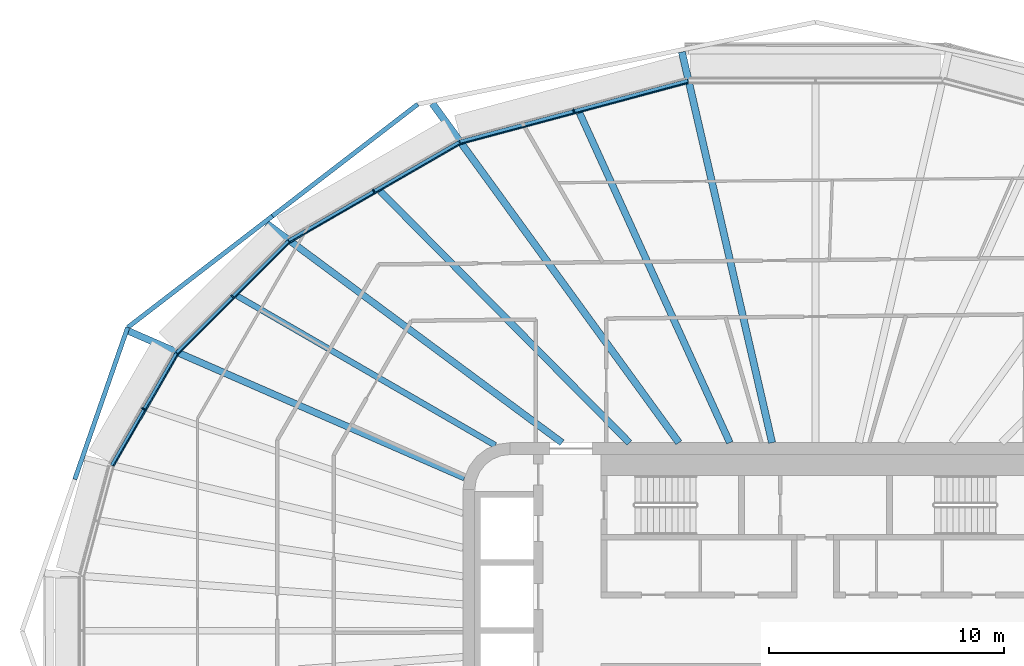
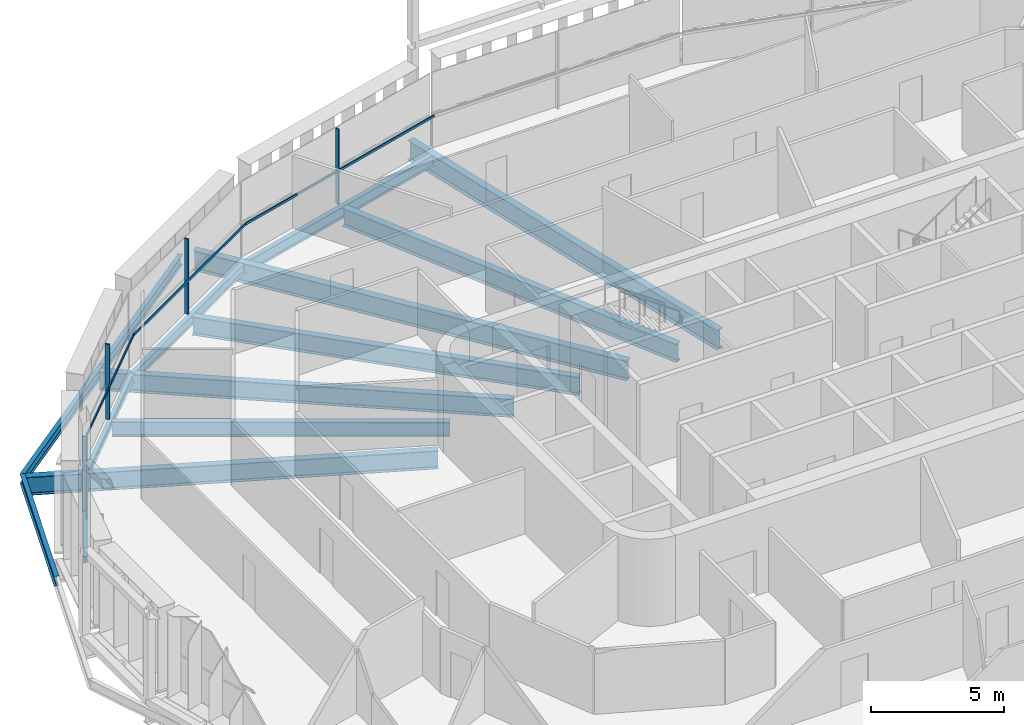
# One storey, part 6 of 24: 14 beams, 8 members, 4 elements without a shape of their own.
"""IFC4 building model written with IfcOpenShell, lengths in metres."""

from ifc_helpers import new_model, si_unit, direction, frame, origin, origin_2d, place, context, subcontext, project, spatial, rectangle, i_section, extrude, material, layer, layer_set, material_profile, profile_set, type_object, element, aggregate, save


model = new_model("IFC4")

# Units and contexts
model_context = context("Model", 3, precision=1e-05, world=origin(), true_north=direction((0.0, 1.0)))
body_context = subcontext(model_context, "Body", "Model", "MODEL_VIEW")
ifc_project = project(units=[si_unit("LENGTHUNIT", "METRE"), si_unit("AREAUNIT", "SQUARE_METRE"), si_unit("VOLUMEUNIT", "CUBIC_METRE"), si_unit("PLANEANGLEUNIT", "RADIAN"), si_unit("MASSUNIT", "GRAM", prefix="KILO")], contexts=[model_context])

# Site, building, storey
site_placement = place(None, origin())
site = spatial("IfcSite", under=ifc_project, at=site_placement, CompositionType="ELEMENT")
building_placement = place(site_placement, origin())
building = spatial("IfcBuilding", under=site, at=building_placement, Name="Sahrelin Media Tower", CompositionType="ELEMENT")
storey_placement = place(building_placement, frame((0.0, 0.0, 153.60009765625)))
storey = spatial("IfcBuildingStorey", under=building, at=storey_placement, Name="L31", CompositionType="ELEMENT", Elevation=153.60009765625)

# Beams
ifc_material_1 = material(Name="Steel S355", Category="steel")
ifc_material_profile_1 = material_profile(ifc_material_1, i_section(OverallWidth=0.1650390625, OverallDepth=0.303466796875, WebThickness=0.006103515625, FlangeThickness=0.01025390625, FilletRadius=0.0087890625, at=origin_2d()), Name="UB 305x165x40")
ifc_profile_set_1 = profile_set([ifc_material_profile_1], Name="Steel S355")
beam_type_1 = type_object("IfcBeamType", Name="Edge beam EB2", PredefinedType="BEAM", material=ifc_profile_set_1)
beam_1_placement = place(storey_placement, frame((-29.936279296875, 7.03125, -0.3017578125), z_axis=(0.499996181239, 0.866027608536, 0.0), x_axis=(-0.866027608536, 0.499996181239, 0.0)))
element("IfcBeam", 1, at=beam_1_placement, inside=storey, type_object=beam_type_1, Name="Edge beam L31-15", PredefinedType="BEAM", context=body_context, shape_type="SweptSolid", body=[
    extrude(i_section(OverallWidth=0.1650390625, OverallDepth=0.303466796875, WebThickness=0.006103515625, FlangeThickness=0.01025390625, FilletRadius=0.0087890625, at=origin_2d()), origin(), (0.0, 0.0, 1.0), 5.50732421875),
])
ifc_material_profile_2 = material_profile(ifc_material_1, i_section(OverallWidth=0.17138671875, OverallDepth=0.35498046875, WebThickness=0.00732421875, FlangeThickness=0.011474609375, FilletRadius=0.01025390625, at=origin_2d()), Name="UB 356x171x51")
ifc_profile_set_2 = profile_set([ifc_material_profile_2], Name="Steel S355")
beam_type_2 = type_object("IfcBeamType", Name="Edge beam EB3", PredefinedType="BEAM", material=ifc_profile_set_2)
beam_2_placement = place(storey_placement, frame((-27.1650390625, 11.823486328125, -0.32763671875), z_axis=(0.707088574851, 0.707124987054, 0.0), x_axis=(-0.707124987054, 0.707088574851, 0.0)))
element("IfcBeam", 2, at=beam_2_placement, inside=storey, type_object=beam_type_2, Name="Edge beam L31-16", PredefinedType="BEAM", context=body_context, shape_type="SweptSolid", body=[
    extrude(i_section(OverallWidth=0.17138671875, OverallDepth=0.35498046875, WebThickness=0.00732421875, FlangeThickness=0.011474609375, FilletRadius=0.01025390625, at=origin_2d()), origin(), (0.0, 0.0, 1.0), 6.704833984375),
])
ifc_material_profile_3 = material_profile(ifc_material_1, i_section(OverallWidth=0.1904296875, OverallDepth=0.45703125, WebThickness=0.009033203125, FlangeThickness=0.014404296875, FilletRadius=0.01025390625, at=origin_2d()), Name="UB 457x191x74")
ifc_profile_set_3 = profile_set([ifc_material_profile_3], Name="Steel S355")
beam_type_3 = type_object("IfcBeamType", Name="Edge beam EB5", PredefinedType="BEAM", material=ifc_profile_set_3)
beam_3_placement = place(storey_placement, frame((-22.401123046875, 16.58203125, -0.378662109375), z_axis=(0.866019985848, 0.500009384024, 0.0), x_axis=(-0.500009384024, 0.866019985848, 0.0)))
element("IfcBeam", 3, at=beam_3_placement, inside=storey, type_object=beam_type_3, Name="Edge beam L31-17", PredefinedType="BEAM", context=body_context, shape_type="SweptSolid", body=[
    extrude(i_section(OverallWidth=0.1904296875, OverallDepth=0.45703125, WebThickness=0.009033203125, FlangeThickness=0.014404296875, FilletRadius=0.01025390625, at=origin_2d()), origin(), (0.0, 0.0, 1.0), 8.371826171875),
])
ifc_material_profile_4 = material_profile(ifc_material_1, i_section(OverallWidth=0.208740234375, OverallDepth=0.5283203125, WebThickness=0.009521484375, FlangeThickness=0.01318359375, FilletRadius=0.0126953125, at=origin_2d()), Name="UB 533x210x82")
ifc_profile_set_4 = profile_set([ifc_material_profile_4], Name="Steel S355")
beam_type_4 = type_object("IfcBeamType", Name="Edge beam EB6", PredefinedType="BEAM", material=ifc_profile_set_4)
beam_4_placement = place(storey_placement, frame((-15.124267578125, 20.779052734375, -0.414306640625), z_axis=(0.965924398273, 0.258824374473, 0.0), x_axis=(-0.258824374473, 0.965924398273, 0.0)))
element("IfcBeam", 4, at=beam_4_placement, inside=storey, type_object=beam_type_4, Name="Edge beam L31-18", PredefinedType="BEAM", context=body_context, shape_type="SweptSolid", body=[
    extrude(i_section(OverallWidth=0.208740234375, OverallDepth=0.5283203125, WebThickness=0.009521484375, FlangeThickness=0.01318359375, FilletRadius=0.0126953125, at=origin_2d()), origin(), (0.0, 0.0, 1.0), 10.0439453125),
])

# Curtain wall, member
ifc_material_2 = material(Name="Champagne anodised aluminium 6063-T6", Category="aluminium")
ifc_layer = layer(ifc_material_2, 0.14990234375)
ifc_layer_set = layer_set([ifc_layer], Name="Tower ribbon curtain wall")
curtain_wall_type = type_object("IfcCurtainWallType", Name="Tower ribbon curtain wall", PredefinedType="NOTDEFINED", material=ifc_layer_set)
curtain_wall_1_placement = place(storey_placement, frame((-10.312255859375, 22.2236328125, 0.0), z_axis=(0.0, 0.0, 1.0), x_axis=(1.0, 0.0, 0.0)))
curtain_wall_1 = element("IfcCurtainWall", 5, at=curtain_wall_1_placement, inside=storey, type_object=curtain_wall_type, Name="L31:CW:L31-07", PredefinedType="NOTDEFINED")
ifc_material_profile_5 = material_profile(ifc_material_2, rectangle(XDim=0.06005859375, YDim=0.175048828125, at=origin_2d()), Name="Mullion 60x175")
ifc_profile_set_5 = profile_set([ifc_material_profile_5], Name="Champagne anodised aluminium 6063-T6")
member_type_1 = type_object("IfcMemberType", Name="Mullion 60x175 CW1B", PredefinedType="MULLION", material=ifc_profile_set_5)
member_1_placement = place(storey_placement, frame((-10.284423828125, 22.119873046875, 0.0), z_axis=(0.0, 0.0, 1.0), x_axis=(-0.965926729732, -0.258815673384, 0.0)))
member_1 = element("IfcMember", 6, at=member_1_placement, type_object=member_type_1, Name="L31:CWM:L31-07", PredefinedType="MULLION", context=body_context, shape_type="SweptSolid", body=[
    extrude(rectangle(XDim=0.06005859375, YDim=0.175048828125, at=origin_2d()), origin(), (0.0, 0.0, 1.0), 3.448486328125),
])

curtain_wall_2_placement = place(storey_placement, frame((-18.85107421875, 18.804931640625, 0.0), z_axis=(0.0, 0.0, 1.0), x_axis=(1.0, 0.0, 0.0)))
curtain_wall_2 = element("IfcCurtainWall", 7, at=curtain_wall_2_placement, inside=storey, type_object=curtain_wall_type, Name="L31:CW:L31-08", PredefinedType="NOTDEFINED")
member_2_placement = place(storey_placement, frame((-18.797119140625, 18.7119140625, 0.0), z_axis=(0.0, 0.0, 1.0), x_axis=(-0.866025403784, -0.5, 0.0)))
member_2 = element("IfcMember", 8, at=member_2_placement, type_object=member_type_1, Name="L31:CWM:L31-08", PredefinedType="MULLION", context=body_context, shape_type="SweptSolid", body=[
    extrude(rectangle(XDim=0.06005859375, YDim=0.175048828125, at=origin_2d()), origin(), (0.0, 0.0, 1.0), 3.448486328125),
])

curtain_wall_3_placement = place(storey_placement, frame((-24.900390625, 14.300048828125, 0.0), z_axis=(0.0, 0.0, 1.0), x_axis=(1.0, 0.0, 0.0)))
curtain_wall_3 = element("IfcCurtainWall", 9, at=curtain_wall_3_placement, inside=storey, type_object=curtain_wall_type, Name="L31:CW:L31-09", PredefinedType="NOTDEFINED")
member_3_placement = place(storey_placement, frame((-24.824462890625, 14.22412109375, 0.0), z_axis=(0.0, 0.0, 1.0), x_axis=(-0.707106781187, -0.707106781187, 0.0)))
member_3 = element("IfcMember", 10, at=member_3_placement, type_object=member_type_1, Name="L31:CWM:L31-09", PredefinedType="MULLION", context=body_context, shape_type="SweptSolid", body=[
    extrude(rectangle(XDim=0.06005859375, YDim=0.175048828125, at=origin_2d()), origin(), (0.0, 0.0, 1.0), 3.448486328125),
])

curtain_wall_4_placement = place(storey_placement, frame((-28.689208984375, 9.490966796875, 0.0), z_axis=(0.0, 0.0, 1.0), x_axis=(1.0, 0.0, 0.0)))
curtain_wall_4 = element("IfcCurtainWall", 11, at=curtain_wall_4_placement, inside=storey, type_object=curtain_wall_type, Name="L31:CW:L31-10", PredefinedType="NOTDEFINED")
member_4_placement = place(storey_placement, frame((-28.59619140625, 9.437255859375, 0.0), z_axis=(0.0, 0.0, 1.0), x_axis=(-0.4999984885, -0.866026276448, 0.0)))
member_4 = element("IfcMember", 12, at=member_4_placement, type_object=member_type_1, Name="L31:CWM:L31-10", PredefinedType="MULLION", context=body_context, shape_type="SweptSolid", body=[
    extrude(rectangle(XDim=0.06005859375, YDim=0.175048828125, at=origin_2d()), origin(), (0.0, 0.0, 1.0), 3.448486328125),
])

# Beams
ifc_material_profile_6 = material_profile(ifc_material_1, i_section(OverallWidth=0.291748046875, OverallDepth=0.8349609375, WebThickness=0.013916015625, FlangeThickness=0.018798828125, FilletRadius=0.017822265625, at=origin_2d()), Name="UB 838x292x176")
ifc_profile_set_6 = profile_set([ifc_material_profile_6], Name="Steel S355")
beam_type_5 = type_object("IfcBeamType", Name="Radial primary beam PB10", PredefinedType="BEAM", material=ifc_profile_set_6)
beam_5_placement = place(storey_placement, frame((-10.784423828125, 8.0, -0.567626953125), z_axis=(-0.803150241364, 0.59577654351, 0.0), x_axis=(-0.59577654351, -0.803150241364, 0.0)))
element("IfcBeam", 13, at=beam_5_placement, inside=storey, type_object=beam_type_5, Name="Radial beam L31-09", PredefinedType="BEAM", context=body_context, shape_type="SweptSolid", body=[
    extrude(i_section(OverallWidth=0.291748046875, OverallDepth=0.8349609375, WebThickness=0.013916015625, FlangeThickness=0.018798828125, FilletRadius=0.017822265625, at=origin_2d()), origin(), (0.0, 0.0, 1.0), 15.66162109375),
])
beam_6_placement = place(storey_placement, frame((-14.9326171875, 6.51318359375, -0.567626953125), z_axis=(-0.916604172492, 0.399795936661, 0.0), x_axis=(-0.399795936661, -0.916604172492, 0.0)))
element("IfcBeam", 14, at=beam_6_placement, inside=storey, type_object=beam_type_5, Name="Radial beam L31-10", PredefinedType="BEAM", context=body_context, shape_type="SweptSolid", body=[
    extrude(i_section(OverallWidth=0.291748046875, OverallDepth=0.8349609375, WebThickness=0.013916015625, FlangeThickness=0.018798828125, FilletRadius=0.017822265625, at=origin_2d()), origin(), (0.0, 0.0, 1.0), 15.592041015625),
])
ifc_material_profile_7 = material_profile(ifc_material_1, i_section(OverallWidth=0.30322265625, OverallDepth=0.903076171875, WebThickness=0.01513671875, FlangeThickness=0.020263671875, FilletRadius=0.01904296875, at=origin_2d()), Name="UB 914x305x201")
ifc_profile_set_7 = profile_set([ifc_material_profile_7], Name="Steel S355")
beam_type_6 = type_object("IfcBeamType", Name="Radial primary beam PB11", PredefinedType="BEAM", material=ifc_profile_set_7)
beam_7_placement = place(storey_placement, frame((-1.845458984375, 8.0, -0.6015625), z_axis=(-0.224764419728, 0.974413133955, 0.0), x_axis=(-0.974413133955, -0.224764419728, 0.0)))
element("IfcBeam", 15, at=beam_7_placement, inside=storey, type_object=beam_type_6, Name="Radial beam L31-07", PredefinedType="BEAM", context=body_context, shape_type="SweptSolid", body=[
    extrude(i_section(OverallWidth=0.30322265625, OverallDepth=0.903076171875, WebThickness=0.01513671875, FlangeThickness=0.020263671875, FilletRadius=0.01904296875, at=origin_2d()), origin(), (0.0, 0.0, 1.0), 17.064208984375),
])
beam_8_placement = place(storey_placement, frame((-5.8125, 8.0, -0.6015625), z_axis=(-0.587797436451, 0.809008141925, 0.0), x_axis=(-0.809008141925, -0.587797436451, 0.0)))
element("IfcBeam", 16, at=beam_8_placement, inside=storey, type_object=beam_type_6, Name="Radial beam L31-08", PredefinedType="BEAM", context=body_context, shape_type="SweptSolid", body=[
    extrude(i_section(OverallWidth=0.30322265625, OverallDepth=0.903076171875, WebThickness=0.01513671875, FlangeThickness=0.020263671875, FilletRadius=0.01904296875, at=origin_2d()), origin(), (0.0, 0.0, 1.0), 17.844970703125),
])
ifc_material_profile_8 = material_profile(ifc_material_1, i_section(OverallWidth=0.291748046875, OverallDepth=0.8349609375, WebThickness=0.013916015625, FlangeThickness=0.018798828125, FilletRadius=0.017822265625, at=origin_2d()), Name="UB 838x292x176")
ifc_profile_set_8 = profile_set([ifc_material_profile_8], Name="Steel S355")
beam_type_7 = type_object("IfcBeamType", Name="Radial secondary beam SB10", PredefinedType="BEAM", material=ifc_profile_set_8)
beam_9_placement = place(storey_placement, frame((-3.64501953125, 8.0, -0.567626953125), z_axis=(-0.414613847662, 0.909997449077, 0.0), x_axis=(-0.909997449077, -0.414613847662, 0.0)))
element("IfcBeam", 17, at=beam_9_placement, inside=storey, type_object=beam_type_7, Name="Secondary beam L31-07", PredefinedType="BEAM", context=body_context, shape_type="SweptSolid", body=[
    extrude(i_section(OverallWidth=0.291748046875, OverallDepth=0.8349609375, WebThickness=0.013916015625, FlangeThickness=0.018798828125, FilletRadius=0.017822265625, at=origin_2d()), origin(), (0.0, 0.0, 1.0), 15.421630859375),
])
beam_10_placement = place(storey_placement, frame((-7.921142578125, 8.0, -0.567626953125), z_axis=(-0.703599162107, 0.710597086317, 0.0), x_axis=(-0.710597086317, -0.703599162107, 0.0)))
element("IfcBeam", 18, at=beam_10_placement, inside=storey, type_object=beam_type_7, Name="Secondary beam L31-08", PredefinedType="BEAM", context=body_context, shape_type="SweptSolid", body=[
    extrude(i_section(OverallWidth=0.291748046875, OverallDepth=0.8349609375, WebThickness=0.013916015625, FlangeThickness=0.018798828125, FilletRadius=0.017822265625, at=origin_2d()), origin(), (0.0, 0.0, 1.0), 15.071533203125),
])
ifc_material_profile_9 = material_profile(ifc_material_1, i_section(OverallWidth=0.2529296875, OverallDepth=0.677978515625, WebThickness=0.01171875, FlangeThickness=0.01611328125, FilletRadius=0.01513671875, at=origin_2d()), Name="UB 686x254x125")
ifc_profile_set_9 = profile_set([ifc_material_profile_9], Name="Steel S355")
beam_type_8 = type_object("IfcBeamType", Name="Radial secondary beam SB8", PredefinedType="BEAM", material=ifc_profile_set_9)
beam_11_placement = place(storey_placement, frame((-13.624755859375, 7.887451171875, -0.489013671875), z_axis=(-0.865442516247, 0.501008234535, 0.0), x_axis=(-0.501008234535, -0.865442516247, 0.0)))
element("IfcBeam", 19, at=beam_11_placement, inside=storey, type_object=beam_type_8, Name="Secondary beam L31-09", PredefinedType="BEAM", context=body_context, shape_type="SweptSolid", body=[
    extrude(i_section(OverallWidth=0.2529296875, OverallDepth=0.677978515625, WebThickness=0.01171875, FlangeThickness=0.01611328125, FilletRadius=0.01513671875, at=origin_2d()), origin(), (0.0, 0.0, 1.0), 12.700927734375),
])
ifc_material_profile_10 = material_profile(ifc_material_1, i_section(OverallWidth=0.1904296875, OverallDepth=0.45703125, WebThickness=0.009033203125, FlangeThickness=0.014404296875, FilletRadius=0.01025390625, at=origin_2d()), Name="UB 457x191x74")
ifc_profile_set_10 = profile_set([ifc_material_profile_10], Name="Steel S355")
beam_type_9 = type_object("IfcBeamType", Name="Tie chord TC5", PredefinedType="BEAM", material=ifc_profile_set_10)
beam_12_placement = place(storey_placement, frame((-31.520263671875, 6.44140625, -0.378662109375), z_axis=(0.328754464222, 0.944415428852, 0.0), x_axis=(-0.944415428852, 0.328754464222, 0.0)))
element("IfcBeam", 20, at=beam_12_placement, inside=storey, type_object=beam_type_9, Name="Tie chord L31-12", PredefinedType="BEAM", context=body_context, shape_type="SweptSolid", body=[
    extrude(i_section(OverallWidth=0.1904296875, OverallDepth=0.45703125, WebThickness=0.009033203125, FlangeThickness=0.014404296875, FilletRadius=0.01025390625, at=origin_2d()), origin(), (0.0, 0.0, 1.0), 6.84326171875),
])
beam_13_placement = place(storey_placement, frame((-29.2705078125, 12.904296875, -0.378662109375), z_axis=(0.7924640011, 0.60991868881, 0.0), x_axis=(-0.60991868881, 0.7924640011, 0.0)))
element("IfcBeam", 21, at=beam_13_placement, inside=storey, type_object=beam_type_9, Name="Tie chord L31-13", PredefinedType="BEAM", context=body_context, shape_type="SweptSolid", body=[
    extrude(i_section(OverallWidth=0.1904296875, OverallDepth=0.45703125, WebThickness=0.009033203125, FlangeThickness=0.014404296875, FilletRadius=0.01025390625, at=origin_2d()), origin(), (0.0, 0.0, 1.0), 7.773193359375),
])
beam_14_placement = place(storey_placement, frame((-23.110595703125, 17.645263671875, -0.378662109375), z_axis=(0.792471623605, 0.609908784804, 0.0), x_axis=(-0.609908784804, 0.792471623605, 0.0)))
element("IfcBeam", 22, at=beam_14_placement, inside=storey, type_object=beam_type_9, Name="Tie chord L31-14", PredefinedType="BEAM", context=body_context, shape_type="SweptSolid", body=[
    extrude(i_section(OverallWidth=0.1904296875, OverallDepth=0.45703125, WebThickness=0.009033203125, FlangeThickness=0.014404296875, FilletRadius=0.01025390625, at=origin_2d()), origin(), (0.0, 0.0, 1.0), 7.804443359375),
])

# Member
ifc_material_profile_11 = material_profile(ifc_material_2, rectangle(XDim=0.050048828125, YDim=0.110107421875, at=origin_2d()), Name="Transom 50x110")
ifc_profile_set_11 = profile_set([ifc_material_profile_11], Name="Champagne anodised aluminium 6063-T6")
member_type_2 = type_object("IfcMemberType", Name="Transom 50x110 CW1B", PredefinedType="USERDEFINED", material=ifc_profile_set_11)
member_5_placement = place(storey_placement, frame((-5.419677734375, 23.306884765625, 1.599853515625), z_axis=(-0.965929113775, -0.258806775726, 0.0), x_axis=(0.258806775726, -0.965929113775, 0.0)))
member_5 = element("IfcMember", 23, at=member_5_placement, type_object=member_type_2, Name="L31:CWT:L31-07", ObjectType="TRANSOM", PredefinedType="USERDEFINED", context=body_context, shape_type="SweptSolid", body=[
    extrude(rectangle(XDim=0.050048828125, YDim=0.110107421875, at=origin_2d()), origin(), (0.0, 0.0, 1.0), 10.012451171875),
])

aggregate(curtain_wall_1, [member_1, member_5])

member_6_placement = place(storey_placement, frame((-15.12939453125, 20.69970703125, 1.599853515625), z_axis=(-0.866018876994, -0.500011304563, 0.0), x_axis=(0.500011304563, -0.866018876994, 0.0)))
member_6 = element("IfcMember", 24, at=member_6_placement, type_object=member_type_2, Name="L31:CWT:L31-08", ObjectType="TRANSOM", PredefinedType="USERDEFINED", context=body_context, shape_type="SweptSolid", body=[
    extrude(rectangle(XDim=0.050048828125, YDim=0.110107421875, at=origin_2d()), origin(), (0.0, 0.0, 1.0), 8.340576171875),
])

aggregate(curtain_wall_2, [member_2, member_6])

member_7_placement = place(storey_placement, frame((-22.385498046875, 16.50390625, 1.599853515625), z_axis=(-0.707125072767, -0.707088489133, 0.0), x_axis=(0.707088489133, -0.707125072767, 0.0)))
member_7 = element("IfcMember", 25, at=member_7_placement, type_object=member_type_2, Name="L31:CWT:L31-09", ObjectType="TRANSOM", PredefinedType="USERDEFINED", context=body_context, shape_type="SweptSolid", body=[
    extrude(rectangle(XDim=0.050048828125, YDim=0.110107421875, at=origin_2d()), origin(), (0.0, 0.0, 1.0), 6.673583984375),
])

aggregate(curtain_wall_3, [member_3, member_7])

member_8_placement = place(storey_placement, frame((-27.1298828125, 11.752197265625, 1.599853515625), z_axis=(-0.49998489776, -0.866034122891, 0.0), x_axis=(0.866034122891, -0.49998489776, 0.0)))
member_8 = element("IfcMember", 26, at=member_8_placement, type_object=member_type_2, Name="L31:CWT:L31-10", ObjectType="TRANSOM", PredefinedType="USERDEFINED", context=body_context, shape_type="SweptSolid", body=[
    extrude(rectangle(XDim=0.050048828125, YDim=0.110107421875, at=origin_2d()), origin(), (0.0, 0.0, 1.0), 5.475830078125),
])

aggregate(curtain_wall_4, [member_4, member_8])

save(model, "model.ifc")
